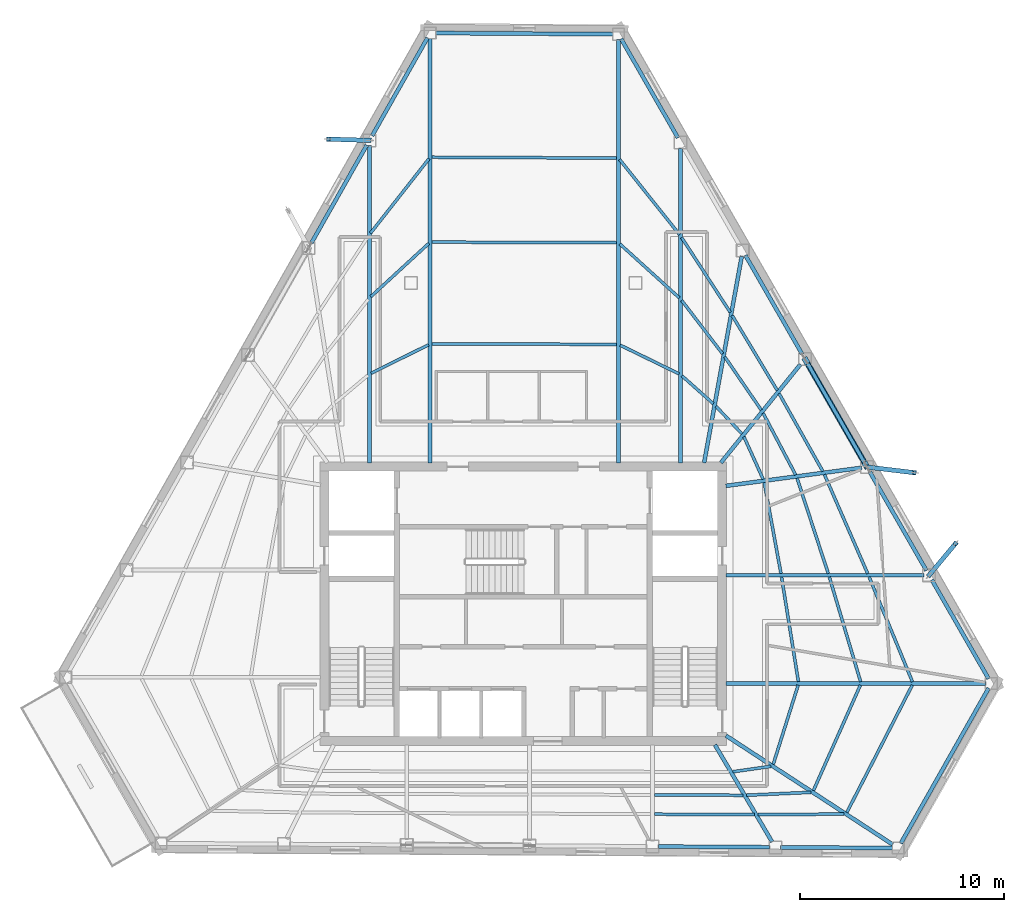
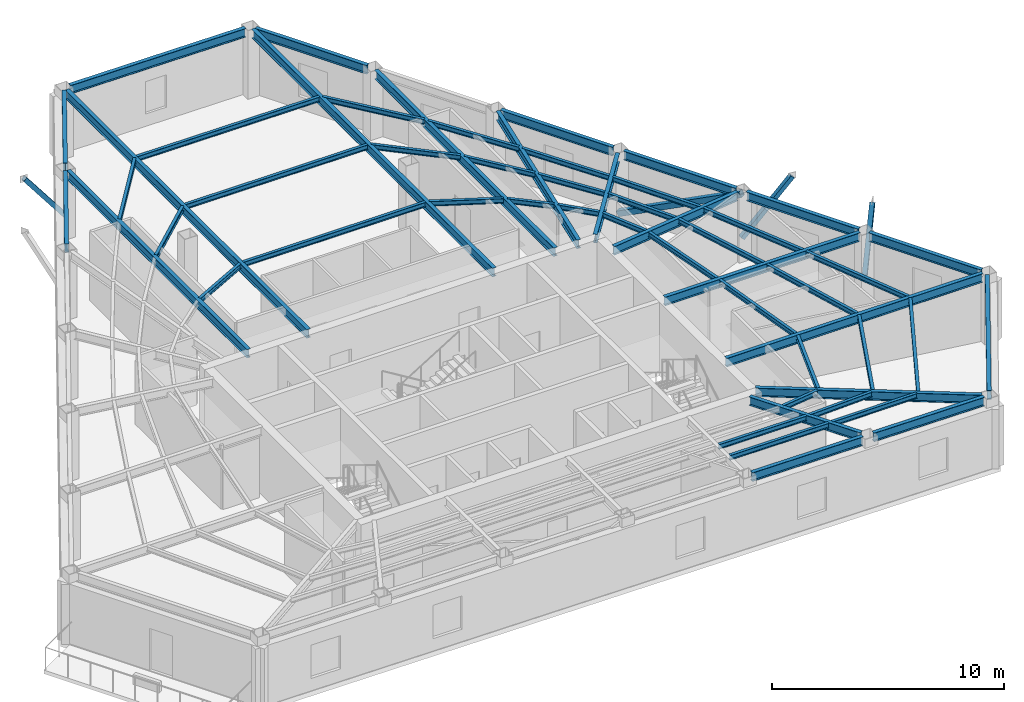
# One storey, part 2 of 11: 54 beams, 4 members.
"""IFC4 building model written with IfcOpenShell, lengths in metres."""

import ifcopenshell
import ifcopenshell.guid

model = None  # the IFC model being written
_history = None  # IfcOwnerHistory: only IFC2X3 demands one
_inside = {}  # id of a spatial element -> (the spatial element, [elements in it])
_under = {}  # id of a project, library or spatial element -> (it, [spatial elements below it])
_declared = {}  # id of a project -> (the project, [libraries it declares])
_typed = {}  # id of a type object -> (the type object, [elements of that type])
_made_of = {}  # id of a material, layer set ... -> (it, [elements and type objects made of it])


def new_model(schema):
    """Start an empty IFC model of exactly this schema.

    Asked for "IFC4X3", IfcOpenShell would pick the latest addendum, in which some entities
    have other attributes; the version numbers below select the first issue.
    IFC2X3 requires an IfcOwnerHistory on every rooted entity: one is made here for all.
    """
    global model, _history
    if schema == "IFC4X3":
        model = ifcopenshell.file(schema_version=(4, 3, 0, 0))
    else:
        model = ifcopenshell.file(schema=schema)
    _inside.clear()
    _under.clear()
    _declared.clear()
    _typed.clear()
    _made_of.clear()
    _history = None
    if model.schema == "IFC2X3":
        org = make("IfcOrganization", Name="unknown")
        user = make(
            "IfcPersonAndOrganization",
            ThePerson=make("IfcPerson", FamilyName="unknown"),
            TheOrganization=org,
        )
        app = make(
            "IfcApplication",
            ApplicationDeveloper=org,
            Version="unknown",
            ApplicationFullName="unknown",
            ApplicationIdentifier="unknown",
        )
        _history = make(
            "IfcOwnerHistory",
            OwningUser=user,
            OwningApplication=app,
            ChangeAction="ADDED",
            CreationDate=0,
        )
    return model


def make(cls, **values):
    """One entity of the class cls with the attributes given. An attribute that is None is left unset."""
    return model.create_entity(
        cls, **{name: value for name, value in values.items() if value is not None}
    )


def rooted(cls, **values):
    """An entity with a GlobalId (a new one), such as an element, a storey or a relation."""
    return make(cls, GlobalId=ifcopenshell.guid.new(), OwnerHistory=_history, **values)


def si_unit(unit_type, name, prefix=None):
    """IfcSIUnit, for example si_unit("LENGTHUNIT", "METRE", prefix="MILLI")."""
    return make("IfcSIUnit", UnitType=unit_type, Prefix=prefix, Name=name)


def assignment(units):
    """IfcUnitAssignment: the units of a project."""
    return None if units is None else make("IfcUnitAssignment", Units=units)


def point(xyz):
    """IfcCartesianPoint."""
    return None if xyz is None else make("IfcCartesianPoint", Coordinates=xyz)


def direction(xyz):
    """IfcDirection."""
    return None if xyz is None else make("IfcDirection", DirectionRatios=xyz)


def frame(location, z_axis=None, x_axis=None):
    """IfcAxis2Placement3D, a coordinate frame: its origin and axes. An axis left out is left unset."""
    return make(
        "IfcAxis2Placement3D",
        Location=point(location),
        Axis=direction(z_axis),
        RefDirection=direction(x_axis),
    )


def frame_2d(location, x_axis=None):
    """IfcAxis2Placement2D, a coordinate frame in the plane: its origin and x axis."""
    return make(
        "IfcAxis2Placement2D", Location=point(location), RefDirection=direction(x_axis)
    )


def origin():
    """The frame at (0, 0, 0) with its axes left unset."""
    return frame((0.0, 0.0, 0.0))


def origin_2d():
    """The frame at (0, 0) in the plane with its x axis left unset."""
    return frame_2d((0.0, 0.0))


def place(relative_to, where):
    """IfcLocalPlacement: puts the frame where relative to a parent placement (None: the world)."""
    return make(
        "IfcLocalPlacement", PlacementRelTo=relative_to, RelativePlacement=where
    )


def context(
    kind, dimensions, precision=None, world=None, true_north=None, identifier=None
):
    """IfcGeometricRepresentationContext, for example the 3D "Model" context."""
    return make(
        "IfcGeometricRepresentationContext",
        ContextIdentifier=identifier,
        ContextType=kind,
        CoordinateSpaceDimension=dimensions,
        Precision=precision,
        WorldCoordinateSystem=world,
        TrueNorth=true_north,
    )


def subcontext(parent, identifier, kind, view, scale=None):
    """IfcGeometricRepresentationSubContext, for example "Body" below "Model"."""
    return make(
        "IfcGeometricRepresentationSubContext",
        ContextIdentifier=identifier,
        ContextType=kind,
        ParentContext=parent,
        TargetScale=scale,
        TargetView=view,
    )


def project(units=None, contexts=None):
    """IfcProject with its units and contexts."""
    return rooted(
        "IfcProject",
        Name="project",
        RepresentationContexts=contexts,
        UnitsInContext=assignment(units),
    )


def spatial(cls, under=None, at=None, **own):
    """A site, building, storey or space (cls), placed at a placement, below another one or the project."""
    s = rooted(cls, ObjectPlacement=at, **own)
    if under is not None:
        _under.setdefault(under.id(), (under, []))[1].append(s)
    return s


def profile(cls, at=None, kind="AREA", **sizes):
    """A parametric profile (cls). Its sizes go by their IFC names, for example OverallWidth=200.0."""
    return make(cls, ProfileType=kind, Position=at, **sizes)


def hollow_rectangle(**sizes):
    """IfcRectangleHollowProfileDef."""
    return profile("IfcRectangleHollowProfileDef", **sizes)


def i_section(**sizes):
    """IfcIShapeProfileDef."""
    return profile("IfcIShapeProfileDef", **sizes)


def extrude(swept, where, along, depth):
    """IfcExtrudedAreaSolid: the profile swept, set in the frame where, extruded along a direction by depth."""
    return make(
        "IfcExtrudedAreaSolid",
        SweptArea=swept,
        Position=where,
        ExtrudedDirection=direction(along),
        Depth=depth,
    )


def shape(context_of_items, identifier, shape_type, items):
    """IfcShapeRepresentation: the items that make up one representation, for example the "Body"."""
    return make(
        "IfcShapeRepresentation",
        ContextOfItems=context_of_items,
        RepresentationIdentifier=identifier,
        RepresentationType=shape_type,
        Items=items,
    )


def material(Name=None, Category=None):
    """IfcMaterial."""
    return make("IfcMaterial", Name=Name, Category=Category)


def material_profile(
    of_material, cross_section, Name=None, Category=None, Priority=None
):
    """IfcMaterialProfile: a cross section and its material."""
    return make(
        "IfcMaterialProfile",
        Name=Name,
        Material=of_material,
        Profile=cross_section,
        Priority=Priority,
        Category=Category,
    )


def profile_set(profiles, Name=None, composite=None):
    """IfcMaterialProfileSet."""
    return make(
        "IfcMaterialProfileSet",
        Name=Name,
        MaterialProfiles=profiles,
        CompositeProfile=composite,
    )


def made_of(thing, what):
    """Note that an element or type object is made of a material, layer set ...; save() writes the relation."""
    if what is not None:
        _made_of.setdefault(what.id(), (what, []))[1].append(thing)
    return thing


def type_object(cls, material=None, **own):
    """A type object (cls), such as IfcWallType, which elements share."""
    return made_of(rooted(cls, **own), material)


def element(
    cls,
    number,
    at=None,
    inside=None,
    cuts=None,
    type_object=None,
    material=None,
    context=None,
    identifier="Body",
    shape_type=None,
    held_by="IfcProductDefinitionShape",
    body=None,
    shapes=None,
    **own,
):
    """One element of the class cls, such as IfcWall. Its Tag is "e" and its number.

    at: its placement. inside: the storey or other place that contains it. cuts: it is an
    opening in that element (IfcRelVoidsElement). A single representation is given by context,
    identifier, shape_type and body (its items); several are given by shapes. held_by: the class
    of the entity that holds the representations. save() writes the other relations.
    """
    e = rooted(cls, Tag="e%d" % number, ObjectPlacement=at, **own)
    if body is not None:
        shapes = [shape(context, identifier, shape_type, body)]
    if shapes is not None:
        e.Representation = make(held_by, Representations=shapes)
    if inside is not None:
        _inside.setdefault(inside.id(), (inside, []))[1].append(e)
    if cuts is not None:
        rooted(
            "IfcRelVoidsElement", RelatingBuildingElement=cuts, RelatedOpeningElement=e
        )
    if type_object is not None:
        _typed.setdefault(type_object.id(), (type_object, []))[1].append(e)
    return made_of(e, material)


def aggregate(whole, parts):
    """IfcRelAggregates: a whole, such as a stair, and the parts it consists of."""
    return rooted("IfcRelAggregates", RelatingObject=whole, RelatedObjects=parts)


def save(model, path):
    """Write the relations noted so far, then the file.

    IfcRelAggregates (storeys below a building ...), IfcRelContainedInSpatialStructure (elements
    in a storey), IfcRelDefinesByType, IfcRelAssociatesMaterial and IfcRelDeclares: one each for
    every whole, place, type object, material and project.
    """
    for whole, parts in _under.values():
        aggregate(whole, parts)
    for where, things in _inside.values():
        rooted(
            "IfcRelContainedInSpatialStructure",
            RelatedElements=things,
            RelatingStructure=where,
        )
    for kind, things in _typed.values():
        rooted("IfcRelDefinesByType", RelatedObjects=things, RelatingType=kind)
    for what, things in _made_of.values():
        rooted("IfcRelAssociatesMaterial", RelatedObjects=things, RelatingMaterial=what)
    for by, libraries in _declared.values():
        rooted("IfcRelDeclares", RelatingContext=by, RelatedDefinitions=libraries)
    model.write(path)


model = new_model("IFC4")

# Units and contexts
model_context = context("Model", 3, precision=1e-05, world=origin(), true_north=direction((0.0, 1.0)))
body_context = subcontext(model_context, "Body", "Model", "MODEL_VIEW")
ifc_project = project(units=[si_unit("LENGTHUNIT", "METRE"), si_unit("AREAUNIT", "SQUARE_METRE"), si_unit("VOLUMEUNIT", "CUBIC_METRE"), si_unit("PLANEANGLEUNIT", "RADIAN"), si_unit("MASSUNIT", "GRAM", prefix="KILO")], contexts=[model_context])

# Site, building, storey
site_placement = place(None, origin())
site = spatial("IfcSite", under=ifc_project, at=site_placement, CompositionType="ELEMENT")
building_placement = place(site_placement, origin())
building = spatial("IfcBuilding", under=site, at=building_placement, Name="Kavelnor Concourse Tower", CompositionType="ELEMENT")
storey_placement = place(building_placement, frame((0.0, 0.0, 172.699951171875)))
storey = spatial("IfcBuildingStorey", under=building, at=storey_placement, Name="L43", CompositionType="ELEMENT", Elevation=172.699951171875)

# Beams
ifc_material = material(Name="Steel Grade 350", Category="steel")
ifc_material_profile_1 = material_profile(ifc_material, i_section(OverallWidth=0.14599609375, OverallDepth=0.256103515625, WebThickness=0.00634765625, FlangeThickness=0.010986328125, at=origin_2d()), Name="250UB37")
ifc_profile_set_1 = profile_set([ifc_material_profile_1], Name="Steel Grade 350")
beam_type_1 = type_object("IfcBeamType", Name="BM-JOIST-250", PredefinedType="JOIST", material=ifc_profile_set_1)
beam_1_placement = place(storey_placement, frame((44.414794921875, 6.74462890625, 3.47216796875), z_axis=(0.999990366634, -0.004389378087, 0.0), x_axis=(0.004389378087, 0.999990366634, 0.0)))
element("IfcBeam", 1, at=beam_1_placement, inside=storey, type_object=beam_type_1, Name="L43 Secondary Composite Joist 06-2", PredefinedType="JOIST", context=body_context, shape_type="SweptSolid", body=[
    extrude(i_section(OverallWidth=0.14599609375, OverallDepth=0.256103515625, WebThickness=0.00634765625, FlangeThickness=0.010986328125, at=origin_2d()), origin(), (0.0, 0.0, 1.0), 4.33837890625),
])
beam_2_placement = place(storey_placement, frame((44.414794921875, 5.80029296875, 3.47216796875), z_axis=(0.999987574895, -0.004984982926, 0.0), x_axis=(0.004984982926, 0.999987574895, 0.0)))
element("IfcBeam", 2, at=beam_2_placement, inside=storey, type_object=beam_type_1, Name="L43 Secondary Composite Joist 06-3", PredefinedType="JOIST", context=body_context, shape_type="SweptSolid", body=[
    extrude(i_section(OverallWidth=0.14599609375, OverallDepth=0.256103515625, WebThickness=0.00634765625, FlangeThickness=0.010986328125, at=origin_2d()), origin(), (0.0, 0.0, 1.0), 4.8974609375),
])
beam_3_placement = place(storey_placement, frame((48.25927734375, 7.87744140625, 3.47216796875), z_axis=(0.990109636482, 0.140295786626, 0.0), x_axis=(-0.140295786626, 0.990109636482, 0.0)))
element("IfcBeam", 3, at=beam_3_placement, inside=storey, type_object=beam_type_1, Name="L43 Secondary Composite Joist 07-1", PredefinedType="JOIST", context=body_context, shape_type="SweptSolid", body=[
    extrude(i_section(OverallWidth=0.14599609375, OverallDepth=0.256103515625, WebThickness=0.00634765625, FlangeThickness=0.010986328125, at=origin_2d()), origin(), (0.0, 0.0, 1.0), 1.8828125),
])
beam_4_placement = place(storey_placement, frame((48.930908203125, 6.729248046875, 3.47216796875), z_axis=(0.998995023177, 0.044821241257, 0.0), x_axis=(-0.044821241257, 0.998995023177, 0.0)))
element("IfcBeam", 4, at=beam_4_placement, inside=storey, type_object=beam_type_1, Name="L43 Secondary Composite Joist 07-2", PredefinedType="JOIST", context=body_context, shape_type="SweptSolid", body=[
    extrude(i_section(OverallWidth=0.14599609375, OverallDepth=0.256103515625, WebThickness=0.00634765625, FlangeThickness=0.010986328125, at=origin_2d()), origin(), (0.0, 0.0, 1.0), 3.15380859375),
])
beam_5_placement = place(storey_placement, frame((49.490234375, 5.776123046875, 3.47216796875), z_axis=(0.99997176771, 0.007514238717, 0.0), x_axis=(-0.007514238717, 0.99997176771, 0.0)))
element("IfcBeam", 5, at=beam_5_placement, inside=storey, type_object=beam_type_1, Name="L43 Secondary Composite Joist 07-3", PredefinedType="JOIST", context=body_context, shape_type="SweptSolid", body=[
    extrude(i_section(OverallWidth=0.14599609375, OverallDepth=0.256103515625, WebThickness=0.00634765625, FlangeThickness=0.010986328125, at=origin_2d()), origin(), (0.0, 0.0, 1.0), 4.2236328125),
])
beam_6_placement = place(storey_placement, frame((50.23828125, 8.239013671875, 3.47216796875), z_axis=(0.300240347025, 0.953863582499, 0.0), x_axis=(-0.953863582499, 0.300240347025, 0.0)))
element("IfcBeam", 6, at=beam_6_placement, inside=storey, type_object=beam_type_1, Name="L43 Secondary Composite Joist 08-1", PredefinedType="JOIST", context=body_context, shape_type="SweptSolid", body=[
    extrude(i_section(OverallWidth=0.14599609375, OverallDepth=0.256103515625, WebThickness=0.00634765625, FlangeThickness=0.010986328125, at=origin_2d()), origin(), (0.0, 0.0, 1.0), 4.065673828125),
])
beam_7_placement = place(storey_placement, frame((52.206787109375, 6.9560546875, 3.47216796875), z_axis=(0.406707348272, 0.913558499967, 0.0), x_axis=(-0.913558499967, 0.406707348272, 0.0)))
element("IfcBeam", 7, at=beam_7_placement, inside=storey, type_object=beam_type_1, Name="L43 Secondary Composite Joist 08-2", PredefinedType="JOIST", context=body_context, shape_type="SweptSolid", body=[
    extrude(i_section(OverallWidth=0.14599609375, OverallDepth=0.256103515625, WebThickness=0.00634765625, FlangeThickness=0.010986328125, at=origin_2d()), origin(), (0.0, 0.0, 1.0), 5.653564453125),
])
beam_8_placement = place(storey_placement, frame((53.843505859375, 5.8876953125, 3.47216796875), z_axis=(0.45715916112, 0.889384900594, 0.0), x_axis=(-0.889384900594, 0.45715916112, 0.0)))
element("IfcBeam", 8, at=beam_8_placement, inside=storey, type_object=beam_type_1, Name="L43 Secondary Composite Joist 08-3", PredefinedType="JOIST", context=body_context, shape_type="SweptSolid", body=[
    extrude(i_section(OverallWidth=0.14599609375, OverallDepth=0.256103515625, WebThickness=0.00634765625, FlangeThickness=0.010986328125, at=origin_2d()), origin(), (0.0, 0.0, 1.0), 7.0107421875),
])
beam_9_placement = place(storey_placement, frame((51.4716796875, 12.2900390625, 3.47216796875), z_axis=(-0.158763307449, 0.987316672708, 0.0), x_axis=(-0.987316672708, -0.158763307449, 0.0)))
element("IfcBeam", 9, at=beam_9_placement, inside=storey, type_object=beam_type_1, Name="L43 Secondary Composite Joist 09-1", PredefinedType="JOIST", context=body_context, shape_type="SweptSolid", body=[
    extrude(i_section(OverallWidth=0.14599609375, OverallDepth=0.256103515625, WebThickness=0.00634765625, FlangeThickness=0.010986328125, at=origin_2d()), origin(), (0.0, 0.0, 1.0), 5.186767578125),
])
beam_10_placement = place(storey_placement, frame((54.5166015625, 12.28759765625, 3.47216796875), z_axis=(-0.286129333232, 0.958191006358, 0.0), x_axis=(-0.958191006358, -0.286129333232, 0.0)))
element("IfcBeam", 10, at=beam_10_placement, inside=storey, type_object=beam_type_1, Name="L43 Secondary Composite Joist 09-2", PredefinedType="JOIST", context=body_context, shape_type="SweptSolid", body=[
    extrude(i_section(OverallWidth=0.14599609375, OverallDepth=0.256103515625, WebThickness=0.00634765625, FlangeThickness=0.010986328125, at=origin_2d()), origin(), (0.0, 0.0, 1.0), 5.349853515625),
])
beam_11_placement = place(storey_placement, frame((57.05517578125, 12.284423828125, 3.47216796875), z_axis=(-0.382082584204, 0.924128183126, 0.0), x_axis=(-0.924128183126, -0.382082584204, 0.0)))
element("IfcBeam", 11, at=beam_11_placement, inside=storey, type_object=beam_type_1, Name="L43 Secondary Composite Joist 09-3", PredefinedType="JOIST", context=body_context, shape_type="SweptSolid", body=[
    extrude(i_section(OverallWidth=0.14599609375, OverallDepth=0.256103515625, WebThickness=0.00634765625, FlangeThickness=0.010986328125, at=origin_2d()), origin(), (0.0, 0.0, 1.0), 5.553955078125),
])
beam_12_placement = place(storey_placement, frame((50.617919921875, 17.586669921875, 3.47216796875), z_axis=(-0.181155559998, 0.983454453995, 0.0), x_axis=(-0.983454453995, -0.181155559998, 0.0)))
element("IfcBeam", 12, at=beam_12_placement, inside=storey, type_object=beam_type_1, Name="L43 Secondary Composite Joist 10-1", PredefinedType="JOIST", context=body_context, shape_type="SweptSolid", body=[
    extrude(i_section(OverallWidth=0.14599609375, OverallDepth=0.256103515625, WebThickness=0.00634765625, FlangeThickness=0.010986328125, at=origin_2d()), origin(), (0.0, 0.0, 1.0), 4.52294921875),
])
beam_13_placement = place(storey_placement, frame((52.9326171875, 17.583740234375, 3.47216796875), z_axis=(-0.310867571477, 0.950453235569, 0.0), x_axis=(-0.950453235569, -0.310867571477, 0.0)))
element("IfcBeam", 13, at=beam_13_placement, inside=storey, type_object=beam_type_1, Name="L43 Secondary Composite Joist 10-2", PredefinedType="JOIST", context=body_context, shape_type="SweptSolid", body=[
    extrude(i_section(OverallWidth=0.14599609375, OverallDepth=0.256103515625, WebThickness=0.00634765625, FlangeThickness=0.010986328125, at=origin_2d()), origin(), (0.0, 0.0, 1.0), 4.909912109375),
])
beam_14_placement = place(storey_placement, frame((54.86328125, 17.580810546875, 3.47216796875), z_axis=(-0.400322737697, 0.916374217055, 0.0), x_axis=(-0.916374217055, -0.400322737697, 0.0)))
element("IfcBeam", 14, at=beam_14_placement, inside=storey, type_object=beam_type_1, Name="L43 Secondary Composite Joist 10-3", PredefinedType="JOIST", context=body_context, shape_type="SweptSolid", body=[
    extrude(i_section(OverallWidth=0.14599609375, OverallDepth=0.256103515625, WebThickness=0.00634765625, FlangeThickness=0.010986328125, at=origin_2d()), origin(), (0.0, 0.0, 1.0), 5.29296875),
])
beam_15_placement = place(storey_placement, frame((49.74560546875, 22.203125, 3.47216796875), z_axis=(-0.413043192072, 0.910711437, 0.0), x_axis=(-0.910711437, -0.413043192072, 0.0)))
element("IfcBeam", 15, at=beam_15_placement, inside=storey, type_object=beam_type_1, Name="L43 Secondary Composite Joist 11-1", PredefinedType="JOIST", context=body_context, shape_type="SweptSolid", body=[
    extrude(i_section(OverallWidth=0.14599609375, OverallDepth=0.256103515625, WebThickness=0.00634765625, FlangeThickness=0.010986328125, at=origin_2d()), origin(), (0.0, 0.0, 1.0), 2.276123046875),
])
beam_16_placement = place(storey_placement, frame((51.337158203125, 22.413818359375, 3.47216796875), z_axis=(-0.466471210895, 0.884536381053, 0.0), x_axis=(-0.884536381053, -0.466471210895, 0.0)))
element("IfcBeam", 16, at=beam_16_placement, inside=storey, type_object=beam_type_1, Name="L43 Secondary Composite Joist 11-2", PredefinedType="JOIST", context=body_context, shape_type="SweptSolid", body=[
    extrude(i_section(OverallWidth=0.14599609375, OverallDepth=0.256103515625, WebThickness=0.00634765625, FlangeThickness=0.010986328125, at=origin_2d()), origin(), (0.0, 0.0, 1.0), 3.41455078125),
])
beam_17_placement = place(storey_placement, frame((52.6650390625, 22.59033203125, 3.47216796875), z_axis=(-0.489865776055, 0.871797867312, 0.0), x_axis=(-0.871797867312, -0.489865776055, 0.0)))
element("IfcBeam", 17, at=beam_17_placement, inside=storey, type_object=beam_type_1, Name="L43 Secondary Composite Joist 11-3", PredefinedType="JOIST", context=body_context, shape_type="SweptSolid", body=[
    extrude(i_section(OverallWidth=0.14599609375, OverallDepth=0.256103515625, WebThickness=0.00634765625, FlangeThickness=0.010986328125, at=origin_2d()), origin(), (0.0, 0.0, 1.0), 4.367919921875),
])
beam_18_placement = place(storey_placement, frame((48.70751953125, 24.421875, 3.47216796875), z_axis=(-0.686221740022, 0.727392413709, 0.0), x_axis=(-0.727392413709, -0.686221740022, 0.0)))
element("IfcBeam", 18, at=beam_18_placement, inside=storey, type_object=beam_type_1, Name="L43 Secondary Composite Joist 12-1", PredefinedType="JOIST", context=body_context, shape_type="SweptSolid", body=[
    extrude(i_section(OverallWidth=0.14599609375, OverallDepth=0.256103515625, WebThickness=0.00634765625, FlangeThickness=0.010986328125, at=origin_2d()), origin(), (0.0, 0.0, 1.0), 1.85595703125),
])
beam_19_placement = place(storey_placement, frame((49.652587890625, 25.586181640625, 3.47216796875), z_axis=(-0.565276205678, 0.824901697958, 0.0), x_axis=(-0.824901697958, -0.565276205678, 0.0)))
element("IfcBeam", 19, at=beam_19_placement, inside=storey, type_object=beam_type_1, Name="L43 Secondary Composite Joist 12-2", PredefinedType="JOIST", context=body_context, shape_type="SweptSolid", body=[
    extrude(i_section(OverallWidth=0.14599609375, OverallDepth=0.256103515625, WebThickness=0.00634765625, FlangeThickness=0.010986328125, at=origin_2d()), origin(), (0.0, 0.0, 1.0), 3.161376953125),
])
beam_20_placement = place(storey_placement, frame((50.435791015625, 26.552001953125, 3.47216796875), z_axis=(-0.51570383083, 0.856766922136, 0.0), x_axis=(-0.856766922136, -0.51570383083, 0.0)))
element("IfcBeam", 20, at=beam_20_placement, inside=storey, type_object=beam_type_1, Name="L43 Secondary Composite Joist 12-3", PredefinedType="JOIST", context=body_context, shape_type="SweptSolid", body=[
    extrude(i_section(OverallWidth=0.14599609375, OverallDepth=0.256103515625, WebThickness=0.00634765625, FlangeThickness=0.010986328125, at=origin_2d()), origin(), (0.0, 0.0, 1.0), 4.27783203125),
])
beam_21_placement = place(storey_placement, frame((47.306396484375, 25.895751953125, 3.47216796875), z_axis=(-0.747212505385, 0.664585187765, 0.0), x_axis=(-0.664585187765, -0.747212505385, 0.0)))
element("IfcBeam", 21, at=beam_21_placement, inside=storey, type_object=beam_type_1, Name="L43 Secondary Composite Joist 13-1", PredefinedType="JOIST", context=body_context, shape_type="SweptSolid", body=[
    extrude(i_section(OverallWidth=0.14599609375, OverallDepth=0.256103515625, WebThickness=0.00634765625, FlangeThickness=0.010986328125, at=origin_2d()), origin(), (0.0, 0.0, 1.0), 2.053466796875),
])
beam_22_placement = place(storey_placement, frame((47.760986328125, 28.338134765625, 3.47216796875), z_axis=(-0.608039083608, 0.793907093308, 0.0), x_axis=(-0.793907093308, -0.608039083608, 0.0)))
element("IfcBeam", 22, at=beam_22_placement, inside=storey, type_object=beam_type_1, Name="L43 Secondary Composite Joist 13-2", PredefinedType="JOIST", context=body_context, shape_type="SweptSolid", body=[
    extrude(i_section(OverallWidth=0.14599609375, OverallDepth=0.256103515625, WebThickness=0.00634765625, FlangeThickness=0.010986328125, at=origin_2d()), origin(), (0.0, 0.0, 1.0), 3.291748046875),
])
beam_23_placement = place(storey_placement, frame((48.135498046875, 30.367919921875, 3.47216796875), z_axis=(-0.544903921321, 0.838498489282, 0.0), x_axis=(-0.838498489282, -0.544903921321, 0.0)))
element("IfcBeam", 23, at=beam_23_placement, inside=storey, type_object=beam_type_1, Name="L43 Secondary Composite Joist 13-3", PredefinedType="JOIST", context=body_context, shape_type="SweptSolid", body=[
    extrude(i_section(OverallWidth=0.14599609375, OverallDepth=0.256103515625, WebThickness=0.00634765625, FlangeThickness=0.010986328125, at=origin_2d()), origin(), (0.0, 0.0, 1.0), 4.37060546875),
])
beam_24_placement = place(storey_placement, frame((45.62548828125, 27.3583984375, 3.47216796875), z_axis=(-0.898829909966, 0.43829760774, 0.0), x_axis=(-0.43829760774, -0.898829909966, 0.0)))
element("IfcBeam", 24, at=beam_24_placement, inside=storey, type_object=beam_type_1, Name="L43 Secondary Composite Joist 14-1", PredefinedType="JOIST", context=body_context, shape_type="SweptSolid", body=[
    extrude(i_section(OverallWidth=0.14599609375, OverallDepth=0.256103515625, WebThickness=0.00634765625, FlangeThickness=0.010986328125, at=origin_2d()), origin(), (0.0, 0.0, 1.0), 3.206298828125),
])
beam_25_placement = place(storey_placement, frame((45.639404296875, 31.081787109375, 3.47216796875), z_axis=(-0.741283773555, 0.671191751338, 0.0), x_axis=(-0.671191751338, -0.741283773555, 0.0)))
element("IfcBeam", 25, at=beam_25_placement, inside=storey, type_object=beam_type_1, Name="L43 Secondary Composite Joist 14-2", PredefinedType="JOIST", context=body_context, shape_type="SweptSolid", body=[
    extrude(i_section(OverallWidth=0.14599609375, OverallDepth=0.256103515625, WebThickness=0.00634765625, FlangeThickness=0.010986328125, at=origin_2d()), origin(), (0.0, 0.0, 1.0), 3.925537109375),
])
beam_26_placement = place(storey_placement, frame((45.64990234375, 34.177001953125, 3.47216796875), z_axis=(-0.62356053891, 0.781775066317, 0.0), x_axis=(-0.781775066317, -0.62356053891, 0.0)))
element("IfcBeam", 26, at=beam_26_placement, inside=storey, type_object=beam_type_1, Name="L43 Secondary Composite Joist 14-3", PredefinedType="JOIST", context=body_context, shape_type="SweptSolid", body=[
    extrude(i_section(OverallWidth=0.14599609375, OverallDepth=0.256103515625, WebThickness=0.00634765625, FlangeThickness=0.010986328125, at=origin_2d()), origin(), (0.0, 0.0, 1.0), 4.7001953125),
])
for number, where, z_axis, x_axis, name in (
    (27, (42.57470703125, 28.802734375, 3.47216796875), (-0.999998363318, 0.001809243096, 0.0), (-0.001809243096, -0.999998363318, 0.0), "L43 Secondary Composite Joist 15-1"),
    (28, (42.57470703125, 33.776611328125, 3.47216796875), (-0.99999439397, 0.003348436618, 0.0), (-0.003348436618, -0.99999439397, 0.0), "L43 Secondary Composite Joist 15-2"),
    (29, (42.57470703125, 37.92138671875, 3.47216796875), (-0.999989338926, 0.004617578769, 0.0), (-0.004617578769, -0.999989338926, 0.0), "L43 Secondary Composite Joist 15-3"),
):
    element("IfcBeam", number, at=place(storey_placement, frame(where, z_axis=z_axis, x_axis=x_axis)), inside=storey, type_object=beam_type_1, Name=name, PredefinedType="JOIST", context=body_context, shape_type="SweptSolid", body=[
        extrude(i_section(OverallWidth=0.14599609375, OverallDepth=0.256103515625, WebThickness=0.00634765625, FlangeThickness=0.010986328125, at=origin_2d()), origin(), (0.0, 0.0, 1.0), 9.041015625),
    ])
beam_27_placement = place(storey_placement, frame((33.364990234375, 28.77978515625, 3.47216796875), z_axis=(-0.896238855866, -0.443571767853, 0.0), x_axis=(0.443571767853, -0.896238855866, 0.0)))
element("IfcBeam", 30, at=beam_27_placement, inside=storey, type_object=beam_type_1, Name="L43 Secondary Composite Joist 16-1", PredefinedType="JOIST", context=body_context, shape_type="SweptSolid", body=[
    extrude(i_section(OverallWidth=0.14599609375, OverallDepth=0.256103515625, WebThickness=0.00634765625, FlangeThickness=0.010986328125, at=origin_2d()), origin(), (0.0, 0.0, 1.0), 3.140625),
])
beam_28_placement = place(storey_placement, frame((33.37939453125, 33.746826171875, 3.47216796875), z_axis=(-0.736287507857, -0.676668830207, 0.0), x_axis=(0.676668830207, -0.736287507857, 0.0)))
element("IfcBeam", 31, at=beam_28_placement, inside=storey, type_object=beam_type_1, Name="L43 Secondary Composite Joist 16-2", PredefinedType="JOIST", context=body_context, shape_type="SweptSolid", body=[
    extrude(i_section(OverallWidth=0.14599609375, OverallDepth=0.256103515625, WebThickness=0.00634765625, FlangeThickness=0.010986328125, at=origin_2d()), origin(), (0.0, 0.0, 1.0), 3.861572265625),
])
beam_29_placement = place(storey_placement, frame((33.389892578125, 37.8935546875, 3.47216796875), z_axis=(-0.617889003266, -0.786265336666, 0.0), x_axis=(0.786265336666, -0.617889003266, 0.0)))
element("IfcBeam", 32, at=beam_29_placement, inside=storey, type_object=beam_type_1, Name="L43 Secondary Composite Joist 16-3", PredefinedType="JOIST", context=body_context, shape_type="SweptSolid", body=[
    extrude(i_section(OverallWidth=0.14599609375, OverallDepth=0.256103515625, WebThickness=0.00634765625, FlangeThickness=0.010986328125, at=origin_2d()), origin(), (0.0, 0.0, 1.0), 4.635498046875),
])
ifc_material_profile_2 = material_profile(ifc_material, i_section(OverallWidth=0.18994140625, OverallDepth=0.4541015625, WebThickness=0.008544921875, FlangeThickness=0.0126953125, at=origin_2d()), Name="460UB67")
ifc_profile_set_2 = profile_set([ifc_material_profile_2], Name="Steel Grade 350")
beam_type_2 = type_object("IfcBeamType", Name="BM-PRIMARY-460", PredefinedType="BEAM", material=ifc_profile_set_2)
beam_30_placement = place(storey_placement, frame((33.44482421875, 23.0, 3.373046875), z_axis=(0.0, 1.0, 0.0), x_axis=(-1.0, 0.0, 0.0)))
element("IfcBeam", 33, at=beam_30_placement, inside=storey, type_object=beam_type_2, Name="L43 Primary Floor Girder F0-B0", PredefinedType="BEAM", context=body_context, shape_type="SweptSolid", body=[
    extrude(i_section(OverallWidth=0.18994140625, OverallDepth=0.4541015625, WebThickness=0.008544921875, FlangeThickness=0.0126953125, at=origin_2d()), origin(), (0.0, 0.0, 1.0), 20.78271484375),
])
beam_31_placement = place(storey_placement, frame((30.470703125, 23.0, 3.373046875), z_axis=(0.0, 1.0, 0.0), x_axis=(-1.0, 0.0, 0.0)))
element("IfcBeam", 34, at=beam_31_placement, inside=storey, type_object=beam_type_2, Name="L43 Primary Floor Girder F0-B1", PredefinedType="BEAM", context=body_context, shape_type="SweptSolid", body=[
    extrude(i_section(OverallWidth=0.18994140625, OverallDepth=0.4541015625, WebThickness=0.008544921875, FlangeThickness=0.0126953125, at=origin_2d()), origin(), (0.0, 0.0, 1.0), 15.526123046875),
])
beam_32_placement = place(storey_placement, frame((47.388427734375, 9.194580078125, 3.373046875), z_axis=(0.507291170065, -0.861774720431, 0.0), x_axis=(0.861774720431, 0.507291170065, 0.0)))
element("IfcBeam", 35, at=beam_32_placement, inside=storey, type_object=beam_type_2, Name="L43 Primary Floor Girder F1-B5", PredefinedType="BEAM", context=body_context, shape_type="SweptSolid", body=[
    extrude(i_section(OverallWidth=0.18994140625, OverallDepth=0.4541015625, WebThickness=0.008544921875, FlangeThickness=0.0126953125, at=origin_2d()), origin(), (0.0, 0.0, 1.0), 5.510498046875),
])
beam_33_placement = place(storey_placement, frame((47.926513671875, 9.646728515625, 3.373046875), z_axis=(0.837226744561, -0.546855902584, 0.0), x_axis=(0.546855902584, 0.837226744561, 0.0)))
element("IfcBeam", 36, at=beam_33_placement, inside=storey, type_object=beam_type_2, Name="L43 Primary Floor Girder F1-B6", PredefinedType="BEAM", context=body_context, shape_type="SweptSolid", body=[
    extrude(i_section(OverallWidth=0.18994140625, OverallDepth=0.4541015625, WebThickness=0.008544921875, FlangeThickness=0.0126953125, at=origin_2d()), origin(), (0.0, 0.0, 1.0), 9.748046875),
])
beam_34_placement = place(storey_placement, frame((47.919921875, 12.2021484375, 3.373046875), z_axis=(1.0, 0.0, 0.0), x_axis=(0.0, 1.0, 0.0)))
element("IfcBeam", 37, at=beam_34_placement, inside=storey, type_object=beam_type_2, Name="L43 Primary Floor Girder F2-B0", PredefinedType="BEAM", context=body_context, shape_type="SweptSolid", body=[
    extrude(i_section(OverallWidth=0.18994140625, OverallDepth=0.4541015625, WebThickness=0.008544921875, FlangeThickness=0.0126953125, at=origin_2d()), origin(), (0.0, 0.0, 1.0), 12.735107421875),
])
beam_35_placement = place(storey_placement, frame((47.919921875, 17.4990234375, 3.373046875), z_axis=(1.0, 0.0, 0.0), x_axis=(0.0, 1.0, 0.0)))
element("IfcBeam", 38, at=beam_35_placement, inside=storey, type_object=beam_type_2, Name="L43 Primary Floor Girder F2-B1", PredefinedType="BEAM", context=body_context, shape_type="SweptSolid", body=[
    extrude(i_section(OverallWidth=0.18994140625, OverallDepth=0.4541015625, WebThickness=0.008544921875, FlangeThickness=0.0126953125, at=origin_2d()), origin(), (0.0, 0.0, 1.0), 9.693115234375),
])
beam_36_placement = place(storey_placement, frame((47.92041015625, 21.87353515625, 3.373046875), z_axis=(0.991208822424, 0.13230672828, 0.0), x_axis=(-0.13230672828, 0.991208822424, 0.0)))
element("IfcBeam", 39, at=beam_36_placement, inside=storey, type_object=beam_type_2, Name="L43 Primary Floor Girder F2-B2", PredefinedType="BEAM", context=body_context, shape_type="SweptSolid", body=[
    extrude(i_section(OverallWidth=0.18994140625, OverallDepth=0.4541015625, WebThickness=0.008544921875, FlangeThickness=0.0126953125, at=origin_2d()), origin(), (0.0, 0.0, 1.0), 6.70947265625),
])
beam_37_placement = place(storey_placement, frame((47.678466796875, 23.0087890625, 3.373046875), z_axis=(0.628744467879, 0.777611981718, 0.0), x_axis=(-0.777611981718, 0.628744467879, 0.0)))
element("IfcBeam", 40, at=beam_37_placement, inside=storey, type_object=beam_type_2, Name="L43 Primary Floor Girder F2-B3", PredefinedType="BEAM", context=body_context, shape_type="SweptSolid", body=[
    extrude(i_section(OverallWidth=0.18994140625, OverallDepth=0.4541015625, WebThickness=0.008544921875, FlangeThickness=0.0126953125, at=origin_2d()), origin(), (0.0, 0.0, 1.0), 6.192626953125),
])
beam_38_placement = place(storey_placement, frame((46.856689453125, 23.00048828125, 3.373046875), z_axis=(0.179039860841, 0.983841820737, 0.0), x_axis=(-0.983841820737, 0.179039860841, 0.0)))
element("IfcBeam", 41, at=beam_38_placement, inside=storey, type_object=beam_type_2, Name="L43 Primary Floor Girder F2-B4", PredefinedType="BEAM", context=body_context, shape_type="SweptSolid", body=[
    extrude(i_section(OverallWidth=0.18994140625, OverallDepth=0.4541015625, WebThickness=0.008544921875, FlangeThickness=0.0126953125, at=origin_2d()), origin(), (0.0, 0.0, 1.0), 10.295166015625),
])
beam_39_placement = place(storey_placement, frame((45.70556640625, 23.0, 3.373046875), z_axis=(0.0, 1.0, 0.0), x_axis=(-1.0, 0.0, 0.0)))
element("IfcBeam", 42, at=beam_39_placement, inside=storey, type_object=beam_type_2, Name="L43 Primary Floor Girder F2-B5", PredefinedType="BEAM", context=body_context, shape_type="SweptSolid", body=[
    extrude(i_section(OverallWidth=0.18994140625, OverallDepth=0.4541015625, WebThickness=0.008544921875, FlangeThickness=0.0126953125, at=origin_2d()), origin(), (0.0, 0.0, 1.0), 15.427001953125),
])
beam_40_placement = place(storey_placement, frame((42.66357421875, 23.0, 3.373046875), z_axis=(0.0, 1.0, 0.0), x_axis=(-1.0, 0.0, 0.0)))
element("IfcBeam", 43, at=beam_40_placement, inside=storey, type_object=beam_type_2, Name="L43 Primary Floor Girder F2-B6", PredefinedType="BEAM", context=body_context, shape_type="SweptSolid", body=[
    extrude(i_section(OverallWidth=0.18994140625, OverallDepth=0.4541015625, WebThickness=0.008544921875, FlangeThickness=0.0126953125, at=origin_2d()), origin(), (0.0, 0.0, 1.0), 20.723876953125),
])
ifc_material_profile_3 = material_profile(ifc_material, i_section(OverallWidth=0.19091796875, OverallDepth=0.4599609375, WebThickness=0.010009765625, FlangeThickness=0.01611328125, at=origin_2d()), Name="460UB82")
ifc_profile_set_3 = profile_set([ifc_material_profile_3], Name="Steel Grade 350")
beam_type_3 = type_object("IfcBeamType", Name="BM-SPANDREL-Z3", PredefinedType="SPANDREL", material=ifc_profile_set_3)
beam_41_placement = place(storey_placement, frame((33.314208984375, 43.812255859375, 3.3701171875), z_axis=(-0.492426617685, -0.870353966037, 0.0), x_axis=(0.870353966037, -0.492426617685, 0.0)))
element("IfcBeam", 44, at=beam_41_placement, inside=storey, type_object=beam_type_3, Name="L43 Perimeter Tube Spandrel Beam F0-B0", PredefinedType="SPANDREL", context=body_context, shape_type="SweptSolid", body=[
    extrude(i_section(OverallWidth=0.19091796875, OverallDepth=0.4599609375, WebThickness=0.010009765625, FlangeThickness=0.01611328125, at=origin_2d()), origin(), (0.0, 0.0, 1.0), 5.509765625),
])
beam_42_placement = place(storey_placement, frame((30.340087890625, 38.5556640625, 3.3701171875), z_axis=(-0.492407627308, -0.870364710089, 0.0), x_axis=(0.870364710089, -0.492407627308, 0.0)))
element("IfcBeam", 45, at=beam_42_placement, inside=storey, type_object=beam_type_3, Name="L43 Perimeter Tube Spandrel Beam F0-B1", PredefinedType="SPANDREL", context=body_context, shape_type="SweptSolid", body=[
    extrude(i_section(OverallWidth=0.19091796875, OverallDepth=0.4599609375, WebThickness=0.010009765625, FlangeThickness=0.01611328125, at=origin_2d()), origin(), (0.0, 0.0, 1.0), 5.510009765625),
])
beam_43_placement = place(storey_placement, frame((42.398681640625, 43.985595703125, 3.3701171875), z_axis=(-0.999979659928, 0.00637806639, 0.0), x_axis=(-0.00637806639, -0.999979659928, 0.0)))
element("IfcBeam", 46, at=beam_43_placement, inside=storey, type_object=beam_type_3, Name="L43 Chamfer Facet Spandrel Beam C0", PredefinedType="SPANDREL", context=body_context, shape_type="SweptSolid", body=[
    extrude(i_section(OverallWidth=0.19091796875, OverallDepth=0.4599609375, WebThickness=0.010009765625, FlangeThickness=0.01611328125, at=origin_2d()), origin(), (0.0, 0.0, 1.0), 8.689208984375),
])
for number, where, z_axis, x_axis, name in (
    (47, (44.5908203125, 4.21728515625, 3.3701171875), (0.99997945494, -0.006410124711, 0.0), (0.006410124711, 0.99997945494, 0.0), "L43 Perimeter Tube Spandrel Beam F1-B4"),
    (48, (50.605224609375, 4.1787109375, 3.3701171875), (0.99997945494, -0.006410124711, 0.0), (0.006410124711, 0.99997945494, 0.0), "L43 Perimeter Tube Spandrel Beam F1-B5"),
):
    element("IfcBeam", number, at=place(storey_placement, frame(where, z_axis=z_axis, x_axis=x_axis)), inside=storey, type_object=beam_type_3, Name=name, PredefinedType="SPANDREL", context=body_context, shape_type="SweptSolid", body=[
        extrude(i_section(OverallWidth=0.19091796875, OverallDepth=0.4599609375, WebThickness=0.010009765625, FlangeThickness=0.01611328125, at=origin_2d()), origin(), (0.0, 0.0, 1.0), 5.484375),
    ])
beam_44_placement = place(storey_placement, frame((60.782958984375, 12.431884765625, 3.3701171875), z_axis=(-0.497976022333, 0.867190798603, 0.0), x_axis=(-0.867190798603, -0.497976022333, 0.0)))
element("IfcBeam", 49, at=beam_44_placement, inside=storey, type_object=beam_type_3, Name="L43 Perimeter Tube Spandrel Beam F2-B0", PredefinedType="SPANDREL", context=body_context, shape_type="SweptSolid", body=[
    extrude(i_section(OverallWidth=0.19091796875, OverallDepth=0.4599609375, WebThickness=0.010009765625, FlangeThickness=0.01611328125, at=origin_2d()), origin(), (0.0, 0.0, 1.0), 5.578125),
])
beam_45_placement = place(storey_placement, frame((57.7412109375, 17.72900390625, 3.3701171875), z_axis=(-0.498008934587, 0.867171898225, 0.0), x_axis=(-0.867171898225, -0.498008934587, 0.0)))
element("IfcBeam", 50, at=beam_45_placement, inside=storey, type_object=beam_type_3, Name="L43 Perimeter Tube Spandrel Beam F2-B1", PredefinedType="SPANDREL", context=body_context, shape_type="SweptSolid", body=[
    extrude(i_section(OverallWidth=0.19091796875, OverallDepth=0.4599609375, WebThickness=0.010009765625, FlangeThickness=0.01611328125, at=origin_2d()), origin(), (0.0, 0.0, 1.0), 5.578369140625),
])
for number, where, z_axis, x_axis, name in (
    (51, (54.69921875, 23.02587890625, 3.3701171875), (-0.497976022333, 0.867190798603, 0.0), (-0.867190798603, -0.497976022333, 0.0), "L43 Perimeter Tube Spandrel Beam F2-B2"),
    (52, (51.6572265625, 28.32275390625, 3.3701171875), (-0.497976022333, 0.867190798603, 0.0), (-0.867190798603, -0.497976022333, 0.0), "L43 Perimeter Tube Spandrel Beam F2-B3"),
    (53, (45.573486328125, 38.916748046875, 3.3701171875), (-0.497994923097, 0.867179944746, 0.0), (-0.867179944746, -0.497994923097, 0.0), "L43 Perimeter Tube Spandrel Beam F2-B5"),
):
    element("IfcBeam", number, at=place(storey_placement, frame(where, z_axis=z_axis, x_axis=x_axis)), inside=storey, type_object=beam_type_3, Name=name, PredefinedType="SPANDREL", context=body_context, shape_type="SweptSolid", body=[
        extrude(i_section(OverallWidth=0.19091796875, OverallDepth=0.4599609375, WebThickness=0.010009765625, FlangeThickness=0.01611328125, at=origin_2d()), origin(), (0.0, 0.0, 1.0), 5.578125),
    ])
beam_46_placement = place(storey_placement, frame((56.485107421875, 4.37255859375, 3.3701171875), z_axis=(0.49241840239, 0.870358614014, 0.0), x_axis=(-0.870358614014, 0.49241840239, 0.0)))
element("IfcBeam", 54, at=beam_46_placement, inside=storey, type_object=beam_type_3, Name="L43 Chamfer Facet Spandrel Beam C2", PredefinedType="SPANDREL", context=body_context, shape_type="SweptSolid", body=[
    extrude(i_section(OverallWidth=0.19091796875, OverallDepth=0.4599609375, WebThickness=0.010009765625, FlangeThickness=0.01611328125, at=origin_2d()), origin(), (0.0, 0.0, 1.0), 8.73095703125),
])

# Members
ifc_material_profile_4 = material_profile(ifc_material, hollow_rectangle(XDim=0.219970703125, YDim=0.219970703125, WallThickness=0.013916015625, at=origin_2d()), Name="SHS 220x220x14")
ifc_profile_set_4 = profile_set([ifc_material_profile_4], Name="Steel Grade 350")
member_type_1 = type_object("IfcMemberType", Name="MBR-BALC-STRUT-220", PredefinedType="STRUT", material=ifc_profile_set_4)
member_1_placement = place(storey_placement, frame((57.873046875, 17.4990234375, 1.050048828125), z_axis=(0.39248859206, 0.471741096227, 0.789565097527), x_axis=(-0.768725123497, 0.639579302749, 0.0)))
element("IfcMember", 55, at=member_1_placement, inside=storey, type_object=member_type_1, Name="L43 Tree Balcony Raking Knee Strut 1-A", PredefinedType="STRUT", context=body_context, shape_type="SweptSolid", body=[
    extrude(hollow_rectangle(XDim=0.219970703125, YDim=0.219970703125, WallThickness=0.013916015625, at=origin_2d()), origin(), (0.0, 0.0, 1.0), 3.29931640625),
])
member_2_placement = place(storey_placement, frame((54.831298828125, 22.796142578125, 1.050048828125), z_axis=(0.664958197473, -0.079552775771, 0.742631773816), x_axis=(0.118788680677, 0.992919558344, 0.0)))
element("IfcMember", 56, at=member_2_placement, inside=storey, type_object=member_type_1, Name="L43 Tree Balcony Raking Knee Strut 1-B", PredefinedType="STRUT", context=body_context, shape_type="SweptSolid", body=[
    extrude(hollow_rectangle(XDim=0.219970703125, YDim=0.219970703125, WallThickness=0.013916015625, at=origin_2d()), origin(), (0.0, 0.0, 1.0), 3.5078125),
])
member_3_placement = place(storey_placement, frame((30.470703125, 38.7861328125, 1.050048828125), z_axis=(-0.611655243329, 0.019568223975, 0.790882385642), x_axis=(-0.031975884771, -0.999488640652, 0.0)))
element("IfcMember", 57, at=member_3_placement, inside=storey, type_object=member_type_1, Name="L43 Tree Balcony Raking Knee Strut 2-A", PredefinedType="STRUT", context=body_context, shape_type="SweptSolid", body=[
    extrude(hollow_rectangle(XDim=0.219970703125, YDim=0.219970703125, WallThickness=0.013916015625, at=origin_2d()), origin(), (0.0, 0.0, 1.0), 3.293701171875),
])
ifc_material_profile_5 = material_profile(ifc_material, hollow_rectangle(XDim=0.280029296875, YDim=0.280029296875, WallThickness=0.01611328125, at=origin_2d()), Name="SHS 280x280x16")
ifc_profile_set_5 = profile_set([ifc_material_profile_5], Name="Steel Grade 350")
member_type_2 = type_object("IfcMemberType", Name="MBR-TUBE-DIAG-Z3", PredefinedType="BRACE", material=ifc_profile_set_5)
member_4_placement = place(storey_placement, frame((51.789306640625, 28.093017578125, 0.219970703125), z_axis=(0.44261957914, -0.770712230258, 0.45835637477), x_axis=(0.867168713275, 0.49801448043, 0.0)))
element("IfcMember", 58, at=member_4_placement, inside=storey, type_object=member_type_2, Name="L43 Framed-Tube Bracing Diagonal F2-B2", PredefinedType="BRACE", context=body_context, shape_type="SweptSolid", body=[
    extrude(hollow_rectangle(XDim=0.280029296875, YDim=0.280029296875, WallThickness=0.01611328125, at=origin_2d()), origin(), (0.0, 0.0, 1.0), 6.872802734375),
])

save(model, "model.ifc")
